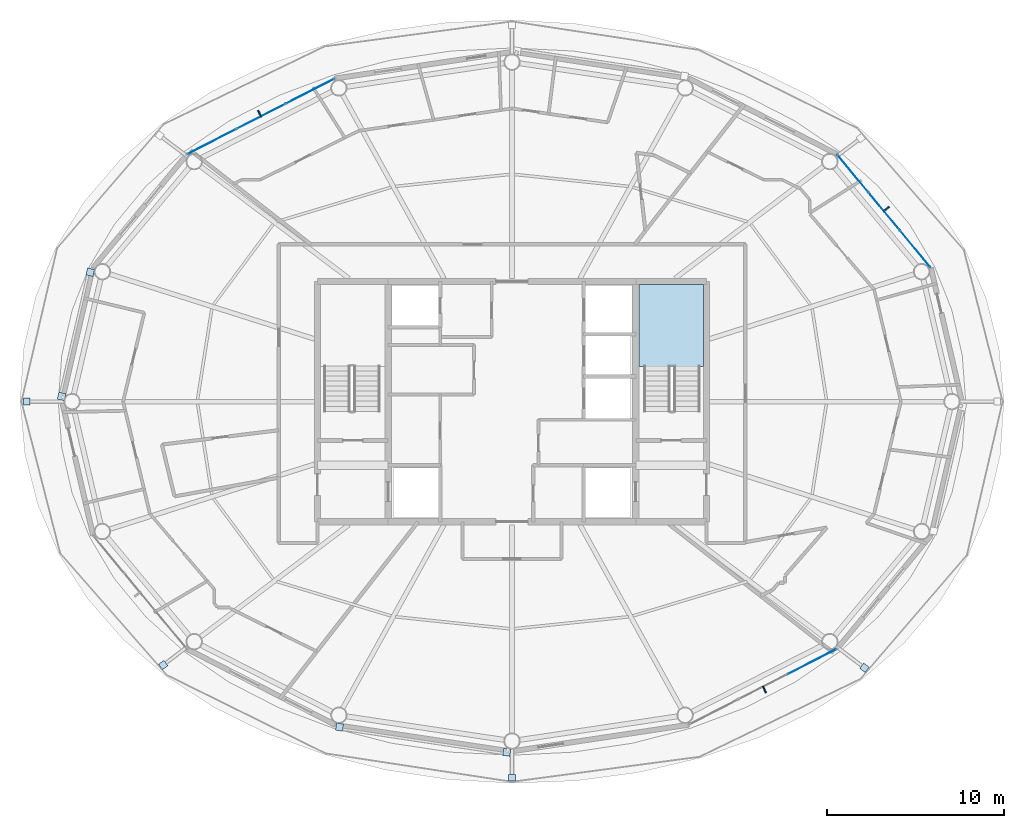
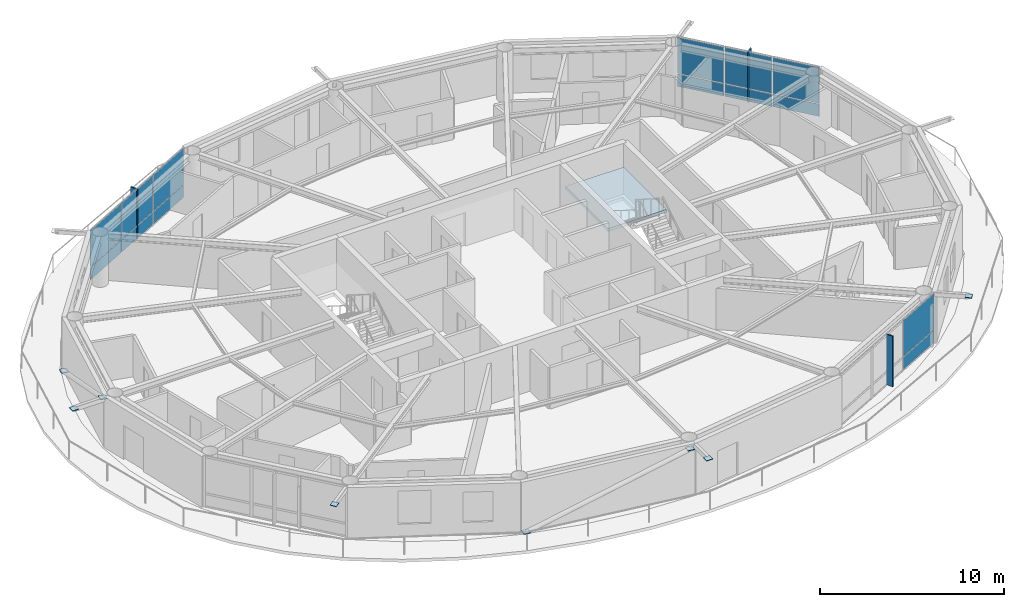
# One storey, part 14 of 22: 25 plates, 1 slab, 4 elements without a shape of their own.
"""IFC4 building model written with IfcOpenShell, lengths in metres."""

import ifcopenshell
import ifcopenshell.guid

model = None  # the IFC model being written
_history = None  # IfcOwnerHistory: only IFC2X3 demands one
_inside = {}  # id of a spatial element -> (the spatial element, [elements in it])
_under = {}  # id of a project, library or spatial element -> (it, [spatial elements below it])
_declared = {}  # id of a project -> (the project, [libraries it declares])
_typed = {}  # id of a type object -> (the type object, [elements of that type])
_made_of = {}  # id of a material, layer set ... -> (it, [elements and type objects made of it])


def new_model(schema):
    """Start an empty IFC model of exactly this schema.

    Asked for "IFC4X3", IfcOpenShell would pick the latest addendum, in which some entities
    have other attributes; the version numbers below select the first issue.
    IFC2X3 requires an IfcOwnerHistory on every rooted entity: one is made here for all.
    """
    global model, _history
    if schema == "IFC4X3":
        model = ifcopenshell.file(schema_version=(4, 3, 0, 0))
    else:
        model = ifcopenshell.file(schema=schema)
    _inside.clear()
    _under.clear()
    _declared.clear()
    _typed.clear()
    _made_of.clear()
    _history = None
    if model.schema == "IFC2X3":
        org = make("IfcOrganization", Name="unknown")
        user = make(
            "IfcPersonAndOrganization",
            ThePerson=make("IfcPerson", FamilyName="unknown"),
            TheOrganization=org,
        )
        app = make(
            "IfcApplication",
            ApplicationDeveloper=org,
            Version="unknown",
            ApplicationFullName="unknown",
            ApplicationIdentifier="unknown",
        )
        _history = make(
            "IfcOwnerHistory",
            OwningUser=user,
            OwningApplication=app,
            ChangeAction="ADDED",
            CreationDate=0,
        )
    return model


def make(cls, **values):
    """One entity of the class cls with the attributes given. An attribute that is None is left unset."""
    return model.create_entity(
        cls, **{name: value for name, value in values.items() if value is not None}
    )


def rooted(cls, **values):
    """An entity with a GlobalId (a new one), such as an element, a storey or a relation."""
    return make(cls, GlobalId=ifcopenshell.guid.new(), OwnerHistory=_history, **values)


def si_unit(unit_type, name, prefix=None):
    """IfcSIUnit, for example si_unit("LENGTHUNIT", "METRE", prefix="MILLI")."""
    return make("IfcSIUnit", UnitType=unit_type, Prefix=prefix, Name=name)


def assignment(units):
    """IfcUnitAssignment: the units of a project."""
    return None if units is None else make("IfcUnitAssignment", Units=units)


def point(xyz):
    """IfcCartesianPoint."""
    return None if xyz is None else make("IfcCartesianPoint", Coordinates=xyz)


def direction(xyz):
    """IfcDirection."""
    return None if xyz is None else make("IfcDirection", DirectionRatios=xyz)


def frame(location, z_axis=None, x_axis=None):
    """IfcAxis2Placement3D, a coordinate frame: its origin and axes. An axis left out is left unset."""
    return make(
        "IfcAxis2Placement3D",
        Location=point(location),
        Axis=direction(z_axis),
        RefDirection=direction(x_axis),
    )


def frame_2d(location, x_axis=None):
    """IfcAxis2Placement2D, a coordinate frame in the plane: its origin and x axis."""
    return make(
        "IfcAxis2Placement2D", Location=point(location), RefDirection=direction(x_axis)
    )


def origin():
    """The frame at (0, 0, 0) with its axes left unset."""
    return frame((0.0, 0.0, 0.0))


def origin_2d():
    """The frame at (0, 0) in the plane with its x axis left unset."""
    return frame_2d((0.0, 0.0))


def place(relative_to, where):
    """IfcLocalPlacement: puts the frame where relative to a parent placement (None: the world)."""
    return make(
        "IfcLocalPlacement", PlacementRelTo=relative_to, RelativePlacement=where
    )


def context(
    kind, dimensions, precision=None, world=None, true_north=None, identifier=None
):
    """IfcGeometricRepresentationContext, for example the 3D "Model" context."""
    return make(
        "IfcGeometricRepresentationContext",
        ContextIdentifier=identifier,
        ContextType=kind,
        CoordinateSpaceDimension=dimensions,
        Precision=precision,
        WorldCoordinateSystem=world,
        TrueNorth=true_north,
    )


def subcontext(parent, identifier, kind, view, scale=None):
    """IfcGeometricRepresentationSubContext, for example "Body" below "Model"."""
    return make(
        "IfcGeometricRepresentationSubContext",
        ContextIdentifier=identifier,
        ContextType=kind,
        ParentContext=parent,
        TargetScale=scale,
        TargetView=view,
    )


def project(units=None, contexts=None):
    """IfcProject with its units and contexts."""
    return rooted(
        "IfcProject",
        Name="project",
        RepresentationContexts=contexts,
        UnitsInContext=assignment(units),
    )


def spatial(cls, under=None, at=None, **own):
    """A site, building, storey or space (cls), placed at a placement, below another one or the project."""
    s = rooted(cls, ObjectPlacement=at, **own)
    if under is not None:
        _under.setdefault(under.id(), (under, []))[1].append(s)
    return s


def polyline(points):
    """IfcPolyline through the points."""
    return make("IfcPolyline", Points=[point(p) for p in points])


def profile(cls, at=None, kind="AREA", **sizes):
    """A parametric profile (cls). Its sizes go by their IFC names, for example OverallWidth=200.0."""
    return make(cls, ProfileType=kind, Position=at, **sizes)


def rectangle(**sizes):
    """IfcRectangleProfileDef."""
    return profile("IfcRectangleProfileDef", **sizes)


def outline(outer, holes=None, kind="AREA"):
    """IfcArbitraryClosedProfileDef: a profile drawn as a closed curve; with holes, ...WithVoids."""
    if holes is None:
        return make("IfcArbitraryClosedProfileDef", ProfileType=kind, OuterCurve=outer)
    return make(
        "IfcArbitraryProfileDefWithVoids",
        ProfileType=kind,
        OuterCurve=outer,
        InnerCurves=holes,
    )


def extrude(swept, where, along, depth):
    """IfcExtrudedAreaSolid: the profile swept, set in the frame where, extruded along a direction by depth."""
    return make(
        "IfcExtrudedAreaSolid",
        SweptArea=swept,
        Position=where,
        ExtrudedDirection=direction(along),
        Depth=depth,
    )


def shape(context_of_items, identifier, shape_type, items):
    """IfcShapeRepresentation: the items that make up one representation, for example the "Body"."""
    return make(
        "IfcShapeRepresentation",
        ContextOfItems=context_of_items,
        RepresentationIdentifier=identifier,
        RepresentationType=shape_type,
        Items=items,
    )


def material(Name=None, Category=None):
    """IfcMaterial."""
    return make("IfcMaterial", Name=Name, Category=Category)


def layer(
    of_material, thickness, ventilated=None, Name=None, Category=None, Priority=None
):
    """IfcMaterialLayer: one layer of a wall or slab, of a material (None: an air gap)."""
    return make(
        "IfcMaterialLayer",
        Material=of_material,
        LayerThickness=thickness,
        IsVentilated=ventilated,
        Name=Name,
        Category=Category,
        Priority=Priority,
    )


def layer_set(layers, Name=None):
    """IfcMaterialLayerSet."""
    return make("IfcMaterialLayerSet", MaterialLayers=layers, LayerSetName=Name)


def made_of(thing, what):
    """Note that an element or type object is made of a material, layer set ...; save() writes the relation."""
    if what is not None:
        _made_of.setdefault(what.id(), (what, []))[1].append(thing)
    return thing


def type_object(cls, material=None, **own):
    """A type object (cls), such as IfcWallType, which elements share."""
    return made_of(rooted(cls, **own), material)


def element(
    cls,
    number,
    at=None,
    inside=None,
    cuts=None,
    type_object=None,
    material=None,
    context=None,
    identifier="Body",
    shape_type=None,
    held_by="IfcProductDefinitionShape",
    body=None,
    shapes=None,
    **own,
):
    """One element of the class cls, such as IfcWall. Its Tag is "e" and its number.

    at: its placement. inside: the storey or other place that contains it. cuts: it is an
    opening in that element (IfcRelVoidsElement). A single representation is given by context,
    identifier, shape_type and body (its items); several are given by shapes. held_by: the class
    of the entity that holds the representations. save() writes the other relations.
    """
    e = rooted(cls, Tag="e%d" % number, ObjectPlacement=at, **own)
    if body is not None:
        shapes = [shape(context, identifier, shape_type, body)]
    if shapes is not None:
        e.Representation = make(held_by, Representations=shapes)
    if inside is not None:
        _inside.setdefault(inside.id(), (inside, []))[1].append(e)
    if cuts is not None:
        rooted(
            "IfcRelVoidsElement", RelatingBuildingElement=cuts, RelatedOpeningElement=e
        )
    if type_object is not None:
        _typed.setdefault(type_object.id(), (type_object, []))[1].append(e)
    return made_of(e, material)


def aggregate(whole, parts):
    """IfcRelAggregates: a whole, such as a stair, and the parts it consists of."""
    return rooted("IfcRelAggregates", RelatingObject=whole, RelatedObjects=parts)


def save(model, path):
    """Write the relations noted so far, then the file.

    IfcRelAggregates (storeys below a building ...), IfcRelContainedInSpatialStructure (elements
    in a storey), IfcRelDefinesByType, IfcRelAssociatesMaterial and IfcRelDeclares: one each for
    every whole, place, type object, material and project.
    """
    for whole, parts in _under.values():
        aggregate(whole, parts)
    for where, things in _inside.values():
        rooted(
            "IfcRelContainedInSpatialStructure",
            RelatedElements=things,
            RelatingStructure=where,
        )
    for kind, things in _typed.values():
        rooted("IfcRelDefinesByType", RelatedObjects=things, RelatingType=kind)
    for what, things in _made_of.values():
        rooted("IfcRelAssociatesMaterial", RelatedObjects=things, RelatingMaterial=what)
    for by, libraries in _declared.values():
        rooted("IfcRelDeclares", RelatingContext=by, RelatedDefinitions=libraries)
    model.write(path)


model = new_model("IFC4")

# Units and contexts
model_context = context("Model", 3, precision=1e-05, world=origin(), true_north=direction((0.0, 1.0)))
body_context = subcontext(model_context, "Body", "Model", "MODEL_VIEW")
ifc_project = project(units=[si_unit("LENGTHUNIT", "METRE"), si_unit("AREAUNIT", "SQUARE_METRE"), si_unit("VOLUMEUNIT", "CUBIC_METRE"), si_unit("PLANEANGLEUNIT", "RADIAN"), si_unit("MASSUNIT", "GRAM", prefix="KILO")], contexts=[model_context])

# Site, building, storey
site_placement = place(None, origin())
site = spatial("IfcSite", under=ifc_project, at=site_placement, CompositionType="ELEMENT")
building_placement = place(site_placement, origin())
building = spatial("IfcBuilding", under=site, at=building_placement, Name="Sarneth Arch Tower", CompositionType="ELEMENT")
storey_placement = place(building_placement, frame((0.0, 0.0, 301.800048828125)))
storey = spatial("IfcBuildingStorey", under=building, at=storey_placement, Name="L78", CompositionType="ELEMENT", Elevation=301.800048828125)

# Curtain wall, plates
ifc_material_1 = material(Name="Anodised aluminium Type AA25 and solar-control low-e laminated IGU", Category="aluminium")
ifc_layer_1 = layer(ifc_material_1, 0.179931640625)
ifc_layer_set_1 = layer_set([ifc_layer_1], Name="Anodised aluminium Type AA25 and solar-control low-e laminated IGU")
curtain_wall_type = type_object("IfcCurtainWallType", Name="CW-RES-HIGH", PredefinedType="NOTDEFINED", material=ifc_layer_set_1)
curtain_wall_1_placement = place(storey_placement, origin())
curtain_wall_1 = element("IfcCurtainWall", 1, at=curtain_wall_1_placement, inside=storey, type_object=curtain_wall_type, Name="L78 Unitised curtain wall facet 02", PredefinedType="NOTDEFINED")
ifc_material_2 = material(Name="Solar-control low-e laminated IGU", Category="glass")
ifc_layer_2 = layer(ifc_material_2, 0.028076171875)
ifc_layer_set_2 = layer_set([ifc_layer_2], Name="Solar-control low-e laminated IGU")
plate_type_1 = type_object("IfcPlateType", Name="CW-PANEL", PredefinedType="CURTAIN_PANEL", material=ifc_layer_set_2)
plate_1_placement = place(storey_placement, frame((70.799072265625, 50.650634765625, 0.059814453125), z_axis=(0.0, 0.0, 1.0), x_axis=(-0.637610094184, 0.770359245933, 0.0)))
plate_1 = element("IfcPlate", 2, at=plate_1_placement, type_object=plate_type_1, Name="Curtain wall glazed vision pane CW-L78-F02/P00-00", PredefinedType="CURTAIN_PANEL", context=body_context, shape_type="SweptSolid", body=[
    extrude(rectangle(XDim=2.686767578125, YDim=0.028076171875, at=origin_2d()), origin(), (0.0, 0.0, 1.0), 0.81005859375),
])
plate_2_placement = place(storey_placement, frame((70.799072265625, 50.650634765625, 0.929931640625), z_axis=(0.0, 0.0, 1.0), x_axis=(-0.637610094184, 0.770359245933, 0.0)))
plate_2 = element("IfcPlate", 3, at=plate_2_placement, type_object=plate_type_1, Name="Curtain wall glazed vision pane CW-L78-F02/P00-01", PredefinedType="CURTAIN_PANEL", context=body_context, shape_type="SweptSolid", body=[
    extrude(rectangle(XDim=2.686767578125, YDim=0.028076171875, at=origin_2d()), origin(), (0.0, 0.0, 1.0), 2.3798828125),
])
plate_3_placement = place(storey_placement, frame((69.0380859375, 52.778076171875, 0.059814453125), z_axis=(0.0, 0.0, 1.0), x_axis=(-0.637610094184, 0.770359245933, 0.0)))
plate_3 = element("IfcPlate", 4, at=plate_3_placement, type_object=plate_type_1, Name="Curtain wall glazed vision pane CW-L78-F02/P01-00", PredefinedType="CURTAIN_PANEL", context=body_context, shape_type="SweptSolid", body=[
    extrude(rectangle(XDim=2.716552734375, YDim=0.028076171875, at=origin_2d()), origin(), (0.0, 0.0, 1.0), 0.81005859375),
])
plate_4_placement = place(storey_placement, frame((69.0380859375, 52.778076171875, 0.929931640625), z_axis=(0.0, 0.0, 1.0), x_axis=(-0.637610094184, 0.770359245933, 0.0)))
plate_4 = element("IfcPlate", 5, at=plate_4_placement, type_object=plate_type_1, Name="Curtain wall glazed vision pane CW-L78-F02/P01-01", PredefinedType="CURTAIN_PANEL", context=body_context, shape_type="SweptSolid", body=[
    extrude(rectangle(XDim=2.716552734375, YDim=0.028076171875, at=origin_2d()), origin(), (0.0, 0.0, 1.0), 2.3798828125),
])
plate_5_placement = place(storey_placement, frame((67.27734375, 54.905517578125, 0.059814453125), z_axis=(0.0, 0.0, 1.0), x_axis=(-0.637610094184, 0.770359245933, 0.0)))
plate_5 = element("IfcPlate", 6, at=plate_5_placement, type_object=plate_type_1, Name="Curtain wall glazed vision pane CW-L78-F02/P02-00", PredefinedType="CURTAIN_PANEL", context=body_context, shape_type="SweptSolid", body=[
    extrude(rectangle(XDim=2.686767578125, YDim=0.028076171875, at=origin_2d()), origin(), (0.0, 0.0, 1.0), 0.81005859375),
])
plate_6_placement = place(storey_placement, frame((67.27734375, 54.905517578125, 0.929931640625), z_axis=(0.0, 0.0, 1.0), x_axis=(-0.637610094184, 0.770359245933, 0.0)))
plate_6 = element("IfcPlate", 7, at=plate_6_placement, type_object=plate_type_1, Name="Curtain wall glazed vision pane CW-L78-F02/P02-01", PredefinedType="CURTAIN_PANEL", context=body_context, shape_type="SweptSolid", body=[
    extrude(rectangle(XDim=2.686767578125, YDim=0.028076171875, at=origin_2d()), origin(), (0.0, 0.0, 1.0), 2.3798828125),
])
aggregate(curtain_wall_1, [plate_1, plate_2, plate_3, plate_4, plate_5, plate_6])

curtain_wall_2_placement = place(storey_placement, origin())
curtain_wall_2 = element("IfcCurtainWall", 8, at=curtain_wall_2_placement, inside=storey, type_object=curtain_wall_type, Name="L78 Unitised curtain wall facet 06", PredefinedType="NOTDEFINED")
plate_7_placement = place(storey_placement, frame((36.5791015625, 59.552978515625, 0.059814453125), z_axis=(0.0, 0.0, 1.0), x_axis=(-0.890009540525, -0.455941901753, 0.0)))
plate_7 = element("IfcPlate", 9, at=plate_7_placement, type_object=plate_type_1, Name="Curtain wall glazed vision pane CW-L78-F06/P00-00", PredefinedType="CURTAIN_PANEL", context=body_context, shape_type="SweptSolid", body=[
    extrude(rectangle(XDim=3.044677734375, YDim=0.028076171875, at=origin_2d()), origin(), (0.0, 0.0, 1.0), 0.81005859375),
])
plate_8_placement = place(storey_placement, frame((36.5791015625, 59.552978515625, 0.929931640625), z_axis=(0.0, 0.0, 1.0), x_axis=(-0.890009540525, -0.455941901753, 0.0)))
plate_8 = element("IfcPlate", 10, at=plate_8_placement, type_object=plate_type_1, Name="Curtain wall glazed vision pane CW-L78-F06/P00-01", PredefinedType="CURTAIN_PANEL", context=body_context, shape_type="SweptSolid", body=[
    extrude(rectangle(XDim=3.044677734375, YDim=0.028076171875, at=origin_2d()), origin(), (0.0, 0.0, 1.0), 2.3798828125),
])
plate_9_placement = place(storey_placement, frame((33.802490234375, 58.13037109375, 0.059814453125), z_axis=(0.0, 0.0, 1.0), x_axis=(-0.890009540525, -0.455941901753, 0.0)))
plate_9 = element("IfcPlate", 11, at=plate_9_placement, type_object=plate_type_1, Name="Curtain wall glazed vision pane CW-L78-F06/P01-00", PredefinedType="CURTAIN_PANEL", context=body_context, shape_type="SweptSolid", body=[
    extrude(rectangle(XDim=3.07470703125, YDim=0.028076171875, at=origin_2d()), origin(), (0.0, 0.0, 1.0), 0.81005859375),
])
plate_10_placement = place(storey_placement, frame((33.802490234375, 58.13037109375, 0.929931640625), z_axis=(0.0, 0.0, 1.0), x_axis=(-0.890009540525, -0.455941901753, 0.0)))
plate_10 = element("IfcPlate", 12, at=plate_10_placement, type_object=plate_type_1, Name="Curtain wall glazed vision pane CW-L78-F06/P01-01", PredefinedType="CURTAIN_PANEL", context=body_context, shape_type="SweptSolid", body=[
    extrude(rectangle(XDim=3.07470703125, YDim=0.028076171875, at=origin_2d()), origin(), (0.0, 0.0, 1.0), 2.3798828125),
])
plate_11_placement = place(storey_placement, frame((31.02587890625, 56.7080078125, 0.059814453125), z_axis=(0.0, 0.0, 1.0), x_axis=(-0.890009540525, -0.455941901753, 0.0)))
plate_11 = element("IfcPlate", 13, at=plate_11_placement, type_object=plate_type_1, Name="Curtain wall glazed vision pane CW-L78-F06/P02-00", PredefinedType="CURTAIN_PANEL", context=body_context, shape_type="SweptSolid", body=[
    extrude(rectangle(XDim=3.044677734375, YDim=0.028076171875, at=origin_2d()), origin(), (0.0, 0.0, 1.0), 0.81005859375),
])
plate_12_placement = place(storey_placement, frame((31.02587890625, 56.7080078125, 0.929931640625), z_axis=(0.0, 0.0, 1.0), x_axis=(-0.890009540525, -0.455941901753, 0.0)))
plate_12 = element("IfcPlate", 14, at=plate_12_placement, type_object=plate_type_1, Name="Curtain wall glazed vision pane CW-L78-F06/P02-01", PredefinedType="CURTAIN_PANEL", context=body_context, shape_type="SweptSolid", body=[
    extrude(rectangle(XDim=3.044677734375, YDim=0.028076171875, at=origin_2d()), origin(), (0.0, 0.0, 1.0), 2.3798828125),
])
aggregate(curtain_wall_2, [plate_7, plate_8, plate_9, plate_10, plate_11, plate_12])

curtain_wall_3_placement = place(storey_placement, origin())
curtain_wall_3 = element("IfcCurtainWall", 15, at=curtain_wall_3_placement, inside=storey, type_object=curtain_wall_type, Name="L78 Unitised curtain wall facet 14", PredefinedType="NOTDEFINED")
plate_13_placement = place(storey_placement, frame((64.97412109375, 27.2919921875, 0.059814453125), z_axis=(0.0, 0.0, 1.0), x_axis=(0.890009540525, 0.455941901753, 0.0)))
plate_13 = element("IfcPlate", 16, at=plate_13_placement, type_object=plate_type_1, Name="Curtain wall glazed vision pane CW-L78-F14/P02-00", PredefinedType="CURTAIN_PANEL", context=body_context, shape_type="SweptSolid", body=[
    extrude(rectangle(XDim=3.044677734375, YDim=0.028076171875, at=origin_2d()), origin(), (0.0, 0.0, 1.0), 0.81005859375),
])
plate_14_placement = place(storey_placement, frame((64.97412109375, 27.2919921875, 0.929931640625), z_axis=(0.0, 0.0, 1.0), x_axis=(0.890009540525, 0.455941901753, 0.0)))
plate_14 = element("IfcPlate", 17, at=plate_14_placement, type_object=plate_type_1, Name="Curtain wall glazed vision pane CW-L78-F14/P02-01", PredefinedType="CURTAIN_PANEL", context=body_context, shape_type="SweptSolid", body=[
    extrude(rectangle(XDim=3.044677734375, YDim=0.028076171875, at=origin_2d()), origin(), (0.0, 0.0, 1.0), 2.3798828125),
])
aggregate(curtain_wall_3, [plate_13, plate_14])

# Plates
ifc_material_3 = material(Name="Steel S355", Category="steel")
ifc_layer_3 = layer(ifc_material_3, 0.035888671875)
ifc_layer_set_3 = layer_set([ifc_layer_3], Name="Steel S355")
plate_type_2 = type_object("IfcPlateType", Name="PLT-GUSSET-30", PredefinedType="SHEET", material=ifc_layer_set_3)
for number, where, z_axis, x_axis, name in (
    (18, (24.148193359375, 49.3154296875, 0.001953125), (0.0, 0.0, 1.0), (-0.225461202458, -0.974252147129, 0.0), "Steel end cap plate GP-1"),
    (19, (22.5234375, 42.292236328125, 3.07421875), (0.0, 0.0, 1.0), (-0.225461202458, -0.974252147129, 0.0), "Steel end cap plate GP-1"),
):
    element("IfcPlate", number, at=place(storey_placement, frame(where, z_axis=z_axis, x_axis=x_axis)), inside=storey, type_object=plate_type_2, Name=name, PredefinedType="SHEET", context=body_context, shape_type="SweptSolid", body=[
        extrude(rectangle(XDim=0.404052734375, YDim=0.404052734375, at=origin_2d()), origin(), (0.0, 0.0, 1.0), 0.035888671875),
    ])
for number, where, z_axis, x_axis, name in (
    (20, (20.549072265625, 42.0, 3.19189453125), (0.0, 0.0, 1.0), (-1.0, 0.0, 0.0), "Steel end cap plate GP-1"),
    (21, (28.2724609375, 27.10009765625, 3.19189453125), (0.0, 0.0, 1.0), (-0.798004853043, -0.602651022168, 0.0), "Steel end cap plate GP-1"),
):
    element("IfcPlate", number, at=place(storey_placement, frame(where, z_axis=z_axis, x_axis=x_axis)), inside=storey, type_object=plate_type_2, Name=name, PredefinedType="SHEET", context=body_context, shape_type="SweptSolid", body=[
        extrude(rectangle(XDim=0.3798828125, YDim=0.3798828125, at=origin_2d()), origin(), (0.0, 0.0, 1.0), 0.035888671875),
    ])
for number, where, z_axis, x_axis, name in (
    (22, (38.245849609375, 23.588623046875, 0.001953125), (0.0, 0.0, 1.0), (0.988860535448, -0.148845024885, 0.0), "Steel end cap plate GP-1"),
    (23, (47.703369140625, 22.16455078125, 3.07421875), (0.0, 0.0, 1.0), (0.988860535448, -0.148845024885, 0.0), "Steel end cap plate GP-1"),
):
    element("IfcPlate", number, at=place(storey_placement, frame(where, z_axis=z_axis, x_axis=x_axis)), inside=storey, type_object=plate_type_2, Name=name, PredefinedType="SHEET", context=body_context, shape_type="SweptSolid", body=[
        extrude(rectangle(XDim=0.404052734375, YDim=0.404052734375, at=origin_2d()), origin(), (0.0, 0.0, 1.0), 0.035888671875),
    ])
for number, where, z_axis, x_axis, name in (
    (24, (48.0, 20.7177734375, 3.19189453125), (0.0, 0.0, 1.0), (0.0, -1.0, 0.0), "Steel end cap plate GP-1"),
    (25, (67.93359375, 26.944580078125, 3.19189453125), (0.0, 0.0, 1.0), (0.798004853043, -0.602651022168, 0.0), "Steel end cap plate GP-1"),
):
    element("IfcPlate", number, at=place(storey_placement, frame(where, z_axis=z_axis, x_axis=x_axis)), inside=storey, type_object=plate_type_2, Name=name, PredefinedType="SHEET", context=body_context, shape_type="SweptSolid", body=[
        extrude(rectangle(XDim=0.3798828125, YDim=0.3798828125, at=origin_2d()), origin(), (0.0, 0.0, 1.0), 0.035888671875),
    ])
ifc_material_4 = material(Name="Extruded glazed terracotta baguette fin on Aluminium 6063-T6 carrier", Category="masonry")
ifc_layer_4 = layer(ifc_material_4, 0.080078125)
ifc_layer_set_4 = layer_set([ifc_layer_4], Name="Extruded glazed terracotta baguette fin on Aluminium 6063-T6 carrier")
plate_type_3 = type_object("IfcPlateType", Name="SHADE-TERRA-FIN", PredefinedType="SHEET", material=ifc_layer_set_4)
for number, where, z_axis, x_axis, name in (
    (26, (69.169189453125, 52.886474609375, 0.010009765625), (0.0, 0.0, 1.0), (0.770401979567, 0.63755845997, 0.0), "L78 Terracotta vertical shading fin 02"),
    (27, (33.724853515625, 58.28173828125, 0.010009765625), (0.0, 0.0, 1.0), (-0.456010959102, 0.889974159838, 0.0), "L78 Terracotta vertical shading fin 06"),
    (28, (62.275146484375, 25.71826171875, 0.010009765625), (0.0, 0.0, 1.0), (0.456010959102, -0.889974159838, 0.0), "L78 Terracotta vertical shading fin 14"),
):
    element("IfcPlate", number, at=place(storey_placement, frame(where, z_axis=z_axis, x_axis=x_axis)), inside=storey, type_object=plate_type_3, Name=name, PredefinedType="SHEET", context=body_context, shape_type="SweptSolid", body=[
        extrude(rectangle(XDim=0.419921875, YDim=0.080078125, at=origin_2d()), origin(), (0.0, 0.0, 1.0), 3.35009765625),
    ])

# Stair, slab
ifc_material_5 = material(Name="Concrete C50/60", Category="concrete")
stair_type = type_object("IfcStairType", Name="STAIR-CORE-RC", PredefinedType="HALF_TURN_STAIR", material=ifc_material_5)
stair_placement = place(storey_placement, origin())
stair = element("IfcStair", 29, at=stair_placement, inside=storey, type_object=stair_type, Name="L78 Core Exit Stair 2", PredefinedType="HALF_TURN_STAIR")
ifc_material_6 = material(Name="Concrete C50/60", Category="concrete")
ifc_layer_5 = layer(ifc_material_6, 0.199951171875)
ifc_layer_set_5 = layer_set([ifc_layer_5], Name="Concrete C50/60")
slab_type = type_object("IfcSlabType", Name="SLAB-LANDING-200", PredefinedType="LANDING", material=ifc_layer_set_5)
slab_placement = place(storey_placement, frame((0.0, 0.0, 1.599853515625)))
slab = element("IfcSlab", 30, at=slab_placement, type_object=slab_type, Name="ST-2 landing 1", PredefinedType="LANDING", context=body_context, shape_type="SweptSolid", body=[
    extrude(outline(polyline([(55.175048828125, 43.985107421875), (58.824951171875, 43.985107421875), (58.824951171875, 48.625), (55.175048828125, 48.625), (55.175048828125, 43.985107421875)])), origin(), (0.0, 0.0, 1.0), 0.2001953125),
])
aggregate(stair, [slab])

save(model, "model.ifc")
